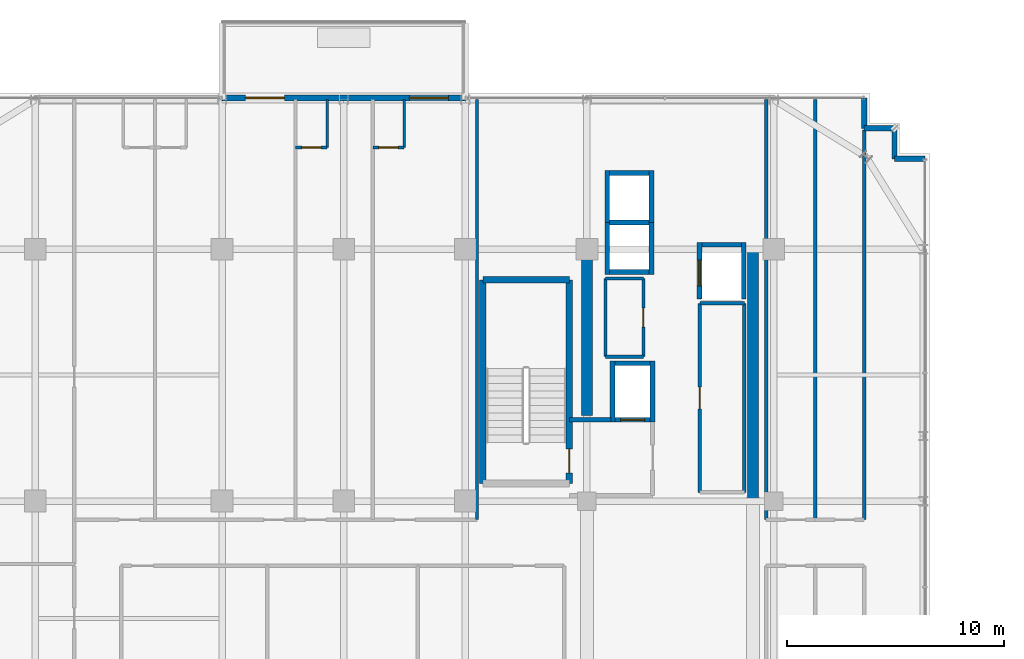
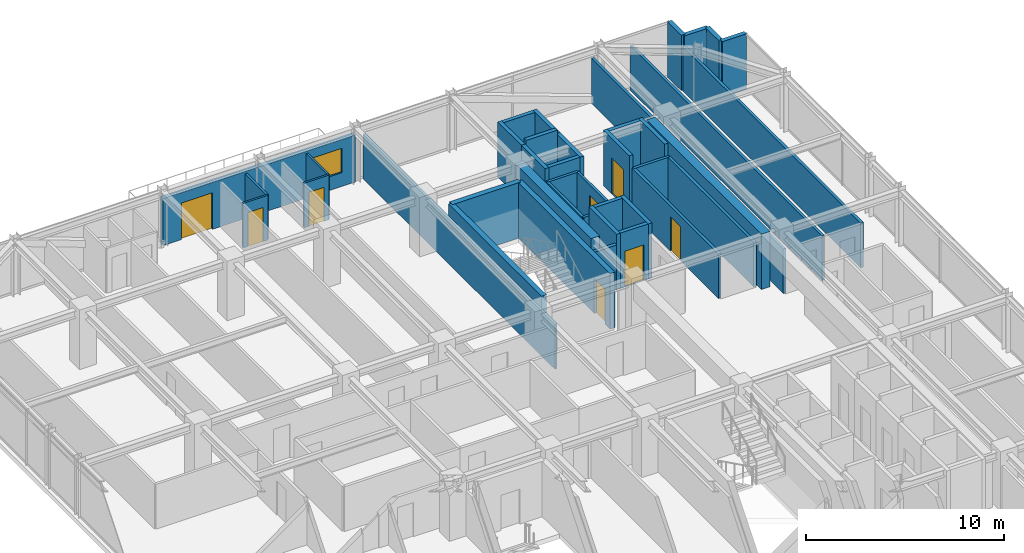
# One storey, part 39 of 43: 40 walls, 8 doors, 1 window, 9 openings.
"""IFC4 building model written with IfcOpenShell, lengths in metres."""

from ifc_helpers import new_model, si_unit, direction, frame, frame_2d, origin, place, context, subcontext, project, spatial, rectangle, extrude, source, transform, mapped, material, layer, layer_set, type_object, element, fill, save


model = new_model("IFC4")

# Units and contexts
model_context = context("Model", 3, precision=1e-05, world=origin(), true_north=direction((0.0, 1.0)))
body_context = subcontext(model_context, "Body", "Model", "MODEL_VIEW")
ifc_project = project(units=[si_unit("LENGTHUNIT", "METRE"), si_unit("AREAUNIT", "SQUARE_METRE"), si_unit("VOLUMEUNIT", "CUBIC_METRE"), si_unit("PLANEANGLEUNIT", "RADIAN"), si_unit("MASSUNIT", "GRAM", prefix="KILO")], contexts=[model_context])

# Site, building, storey
site_placement = place(None, origin())
site = spatial("IfcSite", under=ifc_project, at=site_placement, CompositionType="ELEMENT")
building_placement = place(site_placement, origin())
building = spatial("IfcBuilding", under=site, at=building_placement, Name="Nahalor Promenade Grand Hotel", CompositionType="ELEMENT")
storey_placement = place(building_placement, frame((0.0, 0.0, 204.89990234375)))
storey = spatial("IfcBuildingStorey", under=building, at=storey_placement, Name="L52", CompositionType="ELEMENT", Elevation=204.89990234375)

# Walls
ifc_material_1 = material(Name="Concrete B-60 (C50/60)", Category="concrete")
ifc_layer_1 = layer(ifc_material_1, 0.5)
ifc_layer_set_1 = layer_set([ifc_layer_1], Name="Concrete B-60 (C50/60)")
wall_type_1 = type_object("IfcWallType", Name="Wall-CoreShear-500", PredefinedType="SHEAR", material=ifc_layer_set_1)
shared_shape_1 = source(origin(), body_context, "Body", "SweptSolid", [
    extrude(rectangle(XDim=7.64990234375, YDim=0.5, at=frame_2d((3.824951171875, 0.0))), origin(), (0.0, 0.0, 1.0), 3.41015625),
])
wall_1_placement = place(storey_placement, frame((8.39990234375, 9.35009765625, 0.0), z_axis=(0.0, 0.0, 1.0), x_axis=(0.0, 1.0, 0.0)))
element("IfcWall", 1, at=wall_1_placement, inside=storey, type_object=wall_type_1, Name="CWALL-L52-NW", PredefinedType="SHEAR", context=body_context, shape_type="MappedRepresentation", body=[
    mapped(shared_shape_1, transform((0.0, 0.0, 0.0), scale=1.0)),
])
shared_shape_2 = source(origin(), body_context, "Body", "SweptSolid", [
    extrude(rectangle(XDim=11.60009765625, YDim=0.5, at=frame_2d((5.800048828125, 0.0))), origin(), (0.0, 0.0, 1.0), 3.41015625),
])
wall_2_placement = place(storey_placement, frame((16.050048828125, 5.39990234375, 0.0), z_axis=(0.0, 0.0, 1.0), x_axis=(0.0, 1.0, 0.0)))
element("IfcWall", 2, at=wall_2_placement, inside=storey, type_object=wall_type_1, Name="CWALL-L52-NE", PredefinedType="SHEAR", context=body_context, shape_type="MappedRepresentation", body=[
    mapped(shared_shape_2, transform((0.0, 0.0, 0.0), scale=1.0)),
])
ifc_material_2 = material(Name="Concrete B-50 (C40/50)", Category="concrete")
ifc_layer_2 = layer(ifc_material_2, 0.300048828125)
ifc_layer_set_2 = layer_set([ifc_layer_2], Name="Concrete B-50 (C40/50)")
wall_type_2 = type_object("IfcWallType", Name="Wall-ShaftShear-300", PredefinedType="SHEAR", material=ifc_layer_set_2)
shared_shape_3 = source(origin(), body_context, "Body", "SweptSolid", [
    extrude(rectangle(XDim=3.97998046875, YDim=0.300048828125, at=frame_2d((1.989990234375, 0.0))), origin(), (0.0, 0.0, 1.0), 3.41015625),
])
wall_3_placement = place(storey_placement, frame((3.610107421875, 15.590087890625, 0.0), z_axis=(0.0, 0.0, 1.0), x_axis=(1.0, 0.0, 0.0)))
element("IfcWall", 3, at=wall_3_placement, inside=storey, type_object=wall_type_2, Name="L52 Exit Stair ST1 Shaft Wall N", PredefinedType="SHEAR", context=body_context, shape_type="MappedRepresentation", body=[
    mapped(shared_shape_3, transform((0.0, 0.0, 0.0), scale=1.0)),
])
shared_shape_4 = source(origin(), body_context, "Body", "SweptSolid", [
    extrude(rectangle(XDim=9.380126953125, YDim=0.300048828125, at=frame_2d((4.68994140625, 0.0))), origin(), (0.0, 0.0, 1.0), 3.41015625),
])
wall_4_placement = place(storey_placement, frame((3.610107421875, 6.2099609375, 0.0), z_axis=(0.0, 0.0, 1.0), x_axis=(0.0, 1.0, 0.0)))
element("IfcWall", 4, at=wall_4_placement, inside=storey, type_object=wall_type_2, Name="L52 Exit Stair ST1 Shaft Wall W", PredefinedType="SHEAR", context=body_context, shape_type="MappedRepresentation", body=[
    mapped(shared_shape_4, transform((0.0, 0.0, 0.0), scale=1.0)),
])

# Wall, opening, door
wall_5_placement = place(storey_placement, frame((7.590087890625, 6.2099609375, 0.0), z_axis=(0.0, 0.0, 1.0), x_axis=(0.0, 1.0, 0.0)))
wall_5 = element("IfcWall", 5, at=wall_5_placement, inside=storey, type_object=wall_type_2, Name="L52 Exit Stair ST1 Shaft Wall E", PredefinedType="SHEAR", context=body_context, shape_type="MappedRepresentation", body=[
    mapped(shared_shape_4, transform((0.0, 0.0, 0.0), scale=1.0)),
])
opening_1_placement = place(wall_5_placement, frame((0.489990234375, 0.0, 0.0)))
opening_1 = element("IfcOpeningElement", 6, at=opening_1_placement, cuts=wall_5, Name="Opening D-ST1", PredefinedType="OPENING", context=body_context, shape_type="SweptSolid", body=[
    extrude(rectangle(XDim=1.10009765625, YDim=2.14990234375, at=frame_2d((0.550048828125, 1.074951171875))), frame((0.0, 0.159912109375, 0.0), z_axis=(0.0, -1.0, 0.0), x_axis=(1.0, 0.0, 0.0)), (0.0, 0.0, 1.0), 0.320068359375),
])
ifc_material_3 = material(Name="Steel S355JR", Category="steel")
door_type_1 = type_object("IfcDoorType", Name="Door-StairFire-1100", OperationType="NOTDEFINED", PredefinedType="DOOR", material=ifc_material_3)
shared_shape_5 = source(origin(), body_context, "Body", "SweptSolid", [
    extrude(rectangle(XDim=1.10009765625, YDim=2.14990234375, at=frame_2d((0.550048828125, 1.074951171875))), frame((0.0, 0.02490234375, 0.0), z_axis=(0.0, -1.0, 0.0), x_axis=(1.0, 0.0, 0.0)), (0.0, 0.0, 1.0), 0.050048828125),
])
door_1_placement = place(opening_1_placement, origin())
door_1 = element("IfcDoor", 7, at=door_1_placement, inside=storey, type_object=door_type_1, Name="DR-STAIR-ST1-L52", OperationType="SINGLE_SWING_LEFT", OverallHeight=2.14990234375, OverallWidth=1.10009765625, PredefinedType="DOOR", context=body_context, shape_type="MappedRepresentation", body=[
    mapped(shared_shape_5, transform((0.0, 0.0, 0.0), scale=1.0)),
])
fill(opening_1, door_1)

# Walls
ifc_layer_3 = layer(ifc_material_2, 0.219970703125)
ifc_layer_set_3 = layer_set([ifc_layer_3], Name="Concrete B-50 (C40/50)")
wall_type_3 = type_object("IfcWallType", Name="Wall-LiftShaft-220", PredefinedType="SHEAR", material=ifc_layer_set_3)
shared_shape_6 = source(origin(), body_context, "Body", "SweptSolid", [
    extrude(rectangle(XDim=1.820068359375, YDim=0.219970703125, at=frame_2d((0.91015625, 0.0))), origin(), (0.0, 0.0, 1.0), 3.41015625),
])
for number, where, z_axis, x_axis, name in (
    (8, (9.43994140625, 15.949951171875, 0.0), (0.0, 0.0, 1.0), (1.0, 0.0, 0.0), "L52 Lift OB1 Hoistway Wall S"),
    (9, (9.43994140625, 20.5, 0.0), (0.0, 0.0, 1.0), (1.0, 0.0, 0.0), "L52 Lift OB2 Hoistway Wall N"),
    (10, (13.68994140625, 17.199951171875, 0.0), (0.0, 0.0, 1.0), (1.0, 0.0, 0.0), "L52 Lift SV1 Hoistway Wall N"),
):
    element("IfcWall", number, at=place(storey_placement, frame(where, z_axis=z_axis, x_axis=x_axis)), inside=storey, type_object=wall_type_3, Name=name, PredefinedType="SHEAR", context=body_context, shape_type="MappedRepresentation", body=[
        mapped(shared_shape_6, transform((0.0, 0.0, 0.0), scale=1.0)),
    ])
shared_shape_7 = source(origin(), body_context, "Body", "SweptSolid", [
    extrude(rectangle(XDim=1.820068359375, YDim=0.219970703125, at=frame_2d((0.91015625, 0.0))), origin(), (0.0, 0.0, 1.0), 3.7001953125),
])
wall_6_placement = place(storey_placement, frame((9.43994140625, 18.22509765625, 0.0), z_axis=(0.0, 0.0, 1.0), x_axis=(1.0, 0.0, 0.0)))
element("IfcWall", 11, at=wall_6_placement, inside=storey, type_object=wall_type_3, Name="L52 Lift OB1 Hoistway Wall N", PredefinedType="SHEAR", context=body_context, shape_type="MappedRepresentation", body=[
    mapped(shared_shape_7, transform((0.0, 0.0, 0.0), scale=1.0)),
])
shared_shape_8 = source(origin(), body_context, "Body", "SweptSolid", [
    extrude(rectangle(XDim=2.385009765625, YDim=0.219970703125, at=frame_2d((1.1923828125, 0.0))), origin(), (0.0, 0.0, 1.0), 3.41015625),
])
for number, where, z_axis, x_axis, name in (
    (12, (9.330078125, 15.840087890625, 0.0), (0.0, 0.0, 1.0), (0.0, 1.0, 0.0), "L52 Lift OB1 Hoistway Wall W"),
    (13, (11.3701171875, 15.840087890625, 0.0), (0.0, 0.0, 1.0), (0.0, 1.0, 0.0), "L52 Lift OB1 Hoistway Wall E"),
    (14, (9.330078125, 18.22509765625, 0.0), (0.0, 0.0, 1.0), (0.0, 1.0, 0.0), "L52 Lift OB2 Hoistway Wall W"),
    (15, (11.3701171875, 18.22509765625, 0.0), (0.0, 0.0, 1.0), (0.0, 1.0, 0.0), "L52 Lift OB2 Hoistway Wall E"),
):
    element("IfcWall", number, at=place(storey_placement, frame(where, z_axis=z_axis, x_axis=x_axis)), inside=storey, type_object=wall_type_3, Name=name, PredefinedType="SHEAR", context=body_context, shape_type="MappedRepresentation", body=[
        mapped(shared_shape_8, transform((0.0, 0.0, 0.0), scale=1.0)),
    ])
shared_shape_9 = source(origin(), body_context, "Body", "SweptSolid", [
    extrude(rectangle(XDim=2.820068359375, YDim=0.219970703125, at=frame_2d((1.41015625, 0.0))), origin(), (0.0, 0.0, 1.0), 3.41015625),
])
for number, where, z_axis, x_axis, name in (
    (16, (9.580078125, 9.0400390625, 0.0), (0.0, 0.0, 1.0), (0.0, 1.0, 0.0), "L52 Lift FL1 Hoistway Wall W"),
    (17, (11.419921875, 9.0400390625, 0.0), (0.0, 0.0, 1.0), (0.0, 1.0, 0.0), "L52 Lift FL1 Hoistway Wall E"),
):
    element("IfcWall", number, at=place(storey_placement, frame(where, z_axis=z_axis, x_axis=x_axis)), inside=storey, type_object=wall_type_3, Name=name, PredefinedType="SHEAR", context=body_context, shape_type="MappedRepresentation", body=[
        mapped(shared_shape_9, transform((0.0, 0.0, 0.0), scale=1.0)),
    ])

# Wall, opening, door
shared_shape_10 = source(origin(), body_context, "Body", "SweptSolid", [
    extrude(rectangle(XDim=1.6201171875, YDim=0.219970703125, at=frame_2d((0.81005859375, 0.0))), origin(), (0.0, 0.0, 1.0), 3.41015625),
])
wall_7_placement = place(storey_placement, frame((9.68994140625, 9.14990234375, 0.0), z_axis=(0.0, 0.0, 1.0), x_axis=(1.0, 0.0, 0.0)))
wall_7 = element("IfcWall", 18, at=wall_7_placement, inside=storey, type_object=wall_type_3, Name="L52 Lift FL1 Hoistway Wall S", PredefinedType="SHEAR", context=body_context, shape_type="MappedRepresentation", body=[
    mapped(shared_shape_10, transform((0.0, 0.0, 0.0), scale=1.0)),
])
opening_2_placement = place(wall_7_placement, frame((0.260009765625, 0.0, 0.0)))
opening_2 = element("IfcOpeningElement", 19, at=opening_2_placement, cuts=wall_7, Name="Opening LD-02", PredefinedType="OPENING", context=body_context, shape_type="SweptSolid", body=[
    extrude(rectangle(XDim=1.10009765625, YDim=2.199951171875, at=frame_2d((0.550048828125, 1.10009765625))), frame((0.0, 0.119873046875, 0.0), z_axis=(0.0, -1.0, 0.0), x_axis=(1.0, 0.0, 0.0)), (0.0, 0.0, 1.0), 0.239990234375),
])
door_type_2 = type_object("IfcDoorType", Name="Door-LiftFF-1100", OperationType="DOUBLE_DOOR_SLIDING", PredefinedType="DOOR", material=ifc_material_3)
shared_shape_11 = source(origin(), body_context, "Body", "SweptSolid", [
    extrude(rectangle(XDim=1.10009765625, YDim=2.199951171875, at=frame_2d((0.550048828125, 1.10009765625))), frame((0.0, 0.02490234375, 0.0), z_axis=(0.0, -1.0, 0.0), x_axis=(1.0, 0.0, 0.0)), (0.0, 0.0, 1.0), 0.050048828125),
])
door_2_placement = place(opening_2_placement, frame((1.10009765625, 0.0, 0.0), z_axis=(0.0, 0.0, 1.0), x_axis=(-1.0, 0.0, 0.0)))
door_2 = element("IfcDoor", 20, at=door_2_placement, inside=storey, type_object=door_type_2, Name="DR-LIFT-FL1-L52", OperationType="DOUBLE_DOOR_SLIDING", OverallHeight=2.199951171875, OverallWidth=1.10009765625, PredefinedType="DOOR", context=body_context, shape_type="MappedRepresentation", body=[
    mapped(shared_shape_11, transform((0.0, 0.0, 0.0), scale=1.0)),
])
fill(opening_2, door_2)

# Wall
wall_8_placement = place(storey_placement, frame((9.68994140625, 11.75, 0.0), z_axis=(0.0, 0.0, 1.0), x_axis=(1.0, 0.0, 0.0)))
element("IfcWall", 21, at=wall_8_placement, inside=storey, type_object=wall_type_3, Name="L52 Lift FL1 Hoistway Wall N", PredefinedType="SHEAR", context=body_context, shape_type="MappedRepresentation", body=[
    mapped(shared_shape_10, transform((0.0, 0.0, 0.0), scale=1.0)),
])

# Wall, opening, door
shared_shape_12 = source(origin(), body_context, "Body", "SweptSolid", [
    extrude(rectangle(XDim=2.610107421875, YDim=0.219970703125, at=frame_2d((1.30517578125, 0.0))), origin(), (0.0, 0.0, 1.0), 3.41015625),
])
wall_9_placement = place(storey_placement, frame((13.580078125, 14.699951171875, 0.0), z_axis=(0.0, 0.0, 1.0), x_axis=(0.0, 1.0, 0.0)))
wall_9 = element("IfcWall", 22, at=wall_9_placement, inside=storey, type_object=wall_type_3, Name="L52 Lift SV1 Hoistway Wall W", PredefinedType="SHEAR", context=body_context, shape_type="MappedRepresentation", body=[
    mapped(shared_shape_12, transform((0.0, 0.0, 0.0), scale=1.0)),
])
opening_3_placement = place(wall_9_placement, frame((0.60009765625, 0.0, 0.0)))
opening_3 = element("IfcOpeningElement", 23, at=opening_3_placement, cuts=wall_9, Name="Opening LD-03", PredefinedType="OPENING", context=body_context, shape_type="SweptSolid", body=[
    extrude(rectangle(XDim=1.199951171875, YDim=2.199951171875, at=frame_2d((0.60009765625, 1.10009765625))), frame((0.0, 0.119873046875, 0.0), z_axis=(0.0, -1.0, 0.0), x_axis=(1.0, 0.0, 0.0)), (0.0, 0.0, 1.0), 0.239990234375),
])
door_type_3 = type_object("IfcDoorType", Name="Door-LiftService-1200", OperationType="DOUBLE_DOOR_SLIDING", PredefinedType="DOOR", material=ifc_material_3)
shared_shape_13 = source(origin(), body_context, "Body", "SweptSolid", [
    extrude(rectangle(XDim=1.199951171875, YDim=2.199951171875, at=frame_2d((0.60009765625, 1.10009765625))), frame((0.0, 0.02490234375, 0.0), z_axis=(0.0, -1.0, 0.0), x_axis=(1.0, 0.0, 0.0)), (0.0, 0.0, 1.0), 0.050048828125),
])
door_3_placement = place(opening_3_placement, origin())
door_3 = element("IfcDoor", 24, at=door_3_placement, inside=storey, type_object=door_type_3, Name="DR-LIFT-SV1-L52", OperationType="DOUBLE_DOOR_SLIDING", OverallHeight=2.199951171875, OverallWidth=1.199951171875, PredefinedType="DOOR", context=body_context, shape_type="MappedRepresentation", body=[
    mapped(shared_shape_13, transform((0.0, 0.0, 0.0), scale=1.0)),
])
fill(opening_3, door_3)

# Walls
wall_10_placement = place(storey_placement, frame((15.6201171875, 14.699951171875, 0.0), z_axis=(0.0, 0.0, 1.0), x_axis=(0.0, 1.0, 0.0)))
element("IfcWall", 25, at=wall_10_placement, inside=storey, type_object=wall_type_3, Name="L52 Lift SV1 Hoistway Wall E", PredefinedType="SHEAR", context=body_context, shape_type="MappedRepresentation", body=[
    mapped(shared_shape_12, transform((0.0, 0.0, 0.0), scale=1.0)),
])
ifc_material_4 = material(Name="Concrete B-40 (C32/40)", Category="concrete")
ifc_layer_4 = layer(ifc_material_4, 0.25)
ifc_layer_set_4 = layer_set([ifc_layer_4], Name="Concrete B-40 (C32/40)")
wall_type_4 = type_object("IfcWallType", Name="Wall-BronzePier-250", PredefinedType="STANDARD", material=ifc_layer_set_4)
shared_shape_14 = source(origin(), body_context, "Body", "SweptSolid", [
    extrude(rectangle(XDim=1.39990234375, YDim=0.25, at=frame_2d((0.699951171875, 0.0))), origin(), (0.0, 0.0, 1.0), 3.41015625),
])
for number, where, z_axis, x_axis, name in (
    (26, (22.56005859375, 21.159912109375, 0.0), (0.0, 0.0, 1.0), (1.0, 0.0, 0.0), "W-L52-SR-05"),
    (27, (21.159912109375, 22.56005859375, 0.0), (0.0, 0.0, 1.0), (0.0, 1.0, 0.0), "W-L52-SR-08"),
):
    element("IfcWall", number, at=place(storey_placement, frame(where, z_axis=z_axis, x_axis=x_axis)), inside=storey, type_object=wall_type_4, Name=name, PredefinedType="STANDARD", context=body_context, shape_type="MappedRepresentation", body=[
        mapped(shared_shape_14, transform((0.0, 0.0, 0.0), scale=1.0)),
    ])
shared_shape_15 = source(origin(), body_context, "Body", "SweptSolid", [
    extrude(rectangle(XDim=1.400146484375, YDim=0.25, at=frame_2d((0.7001953125, 0.0))), origin(), (0.0, 0.0, 1.0), 3.41015625),
])
for number, where, z_axis, x_axis, name in (
    (28, (22.56005859375, 21.159912109375, 0.0), (0.0, 0.0, 1.0), (0.0, 1.0, 0.0), "W-L52-SR-06"),
    (29, (21.159912109375, 22.56005859375, 0.0), (0.0, 0.0, 1.0), (1.0, 0.0, 0.0), "W-L52-SR-07"),
):
    element("IfcWall", number, at=place(storey_placement, frame(where, z_axis=z_axis, x_axis=x_axis)), inside=storey, type_object=wall_type_4, Name=name, PredefinedType="STANDARD", context=body_context, shape_type="MappedRepresentation", body=[
        mapped(shared_shape_15, transform((0.0, 0.0, 0.0), scale=1.0)),
    ])

# Wall, openings, door, window
ifc_layer_5 = layer(ifc_material_4, 0.260009765625)
ifc_layer_set_5 = layer_set([ifc_layer_5], Name="Concrete B-40 (C32/40)")
wall_type_5 = type_object("IfcWallType", Name="Wall-BalconyWall-260", PredefinedType="STANDARD", material=ifc_layer_set_5)
shared_shape_16 = source(origin(), body_context, "Body", "SweptSolid", [
    extrude(rectangle(XDim=11.199951171875, YDim=0.260009765625, at=frame_2d((5.60009765625, 0.0))), origin(), (0.0, 0.0, 1.0), 2.89013671875),
])
wall_11_placement = place(storey_placement, frame((-8.39990234375, 23.9599609375, 0.0), z_axis=(0.0, 0.0, 1.0), x_axis=(1.0, 0.0, 0.0)))
wall_11 = element("IfcWall", 30, at=wall_11_placement, inside=storey, type_object=wall_type_5, Name="W-L52-BALC-N-2", PredefinedType="STANDARD", context=body_context, shape_type="MappedRepresentation", body=[
    mapped(shared_shape_16, transform((0.0, 0.0, 0.0), scale=1.0)),
])
opening_4_placement = place(wall_11_placement, frame((1.069091796875, 0.0, 0.0)))
opening_4 = element("IfcOpeningElement", 31, at=opening_4_placement, cuts=wall_11, Name="Opening D-BC1", PredefinedType="OPENING", context=body_context, shape_type="SweptSolid", body=[
    extrude(rectangle(XDim=1.800048828125, YDim=2.25, at=frame_2d((0.89990234375, 1.125))), frame((0.0, 0.139892578125, 0.0), z_axis=(0.0, -1.0, 0.0), x_axis=(1.0, 0.0, 0.0)), (0.0, 0.0, 1.0), 0.280029296875),
])
opening_5_placement = place(wall_11_placement, frame((8.618896484375, 0.0, 0.85009765625)))
opening_5 = element("IfcOpeningElement", 32, at=opening_5_placement, cuts=wall_11, Name="Opening WN-01", PredefinedType="OPENING", context=body_context, shape_type="SweptSolid", body=[
    extrude(rectangle(XDim=1.800048828125, YDim=1.5, at=frame_2d((0.89990234375, 0.75))), frame((0.0, 0.139892578125, 0.0), z_axis=(0.0, -1.0, 0.0), x_axis=(1.0, 0.0, 0.0)), (0.0, 0.0, 1.0), 0.280029296875),
])
ifc_material_5 = material(Name="Anodised Bronze Aluminium EN AW-6063 T6", Category="aluminium")
door_type_4 = type_object("IfcDoorType", Name="Door-BalconySlide-1800", OperationType="DOUBLE_DOOR_SLIDING", PredefinedType="DOOR", material=ifc_material_5)
shared_shape_17 = source(origin(), body_context, "Body", "SweptSolid", [
    extrude(rectangle(XDim=1.800048828125, YDim=2.25, at=frame_2d((0.89990234375, 1.125))), frame((0.0, 0.02490234375, 0.0), z_axis=(0.0, -1.0, 0.0), x_axis=(1.0, 0.0, 0.0)), (0.0, 0.0, 1.0), 0.050048828125),
])
door_4_placement = place(opening_4_placement, origin())
door_4 = element("IfcDoor", 33, at=door_4_placement, inside=storey, type_object=door_type_4, Name="DR-L52-BALC-N-2", OperationType="DOUBLE_DOOR_SLIDING", OverallHeight=2.25, OverallWidth=1.800048828125, PredefinedType="DOOR", context=body_context, shape_type="MappedRepresentation", body=[
    mapped(shared_shape_17, transform((0.0, 0.0, 0.0), scale=1.0)),
])
fill(opening_4, door_4)
ifc_material_6 = material(Name="Low-E Laminated Solar Glass", Category="glass")
window_type = type_object("IfcWindowType", Name="Win-ChicagoBay-1800x1500", PartitioningType="SINGLE_PANEL", PredefinedType="WINDOW", material=ifc_material_6)
shared_shape_18 = source(origin(), body_context, "Body", "SweptSolid", [
    extrude(rectangle(XDim=1.800048828125, YDim=1.5, at=frame_2d((0.89990234375, 0.75))), frame((0.0, 0.030029296875, 0.0), z_axis=(0.0, -1.0, 0.0), x_axis=(1.0, 0.0, 0.0)), (0.0, 0.0, 1.0), 0.06005859375),
])
window_placement = place(opening_5_placement, origin())
window = element("IfcWindow", 34, at=window_placement, inside=storey, type_object=window_type, Name="WN-L52-BALC-N-2-1", OverallHeight=1.5, OverallWidth=1.800048828125, PartitioningType="SINGLE_PANEL", PredefinedType="WINDOW", context=body_context, shape_type="MappedRepresentation", body=[
    mapped(shared_shape_18, transform((0.0, 0.0, 0.0), scale=1.0)),
])
fill(opening_5, window)

# Walls
ifc_layer_6 = layer(ifc_material_4, 0.199951171875)
ifc_layer_set_6 = layer_set([ifc_layer_6], Name="Concrete B-40 (C32/40)")
wall_type_6 = type_object("IfcWallType", Name="Wall-PartFire-200", PredefinedType="PARTITIONING", material=ifc_layer_set_6)
shared_shape_19 = source(origin(), body_context, "Body", "SweptSolid", [
    extrude(rectangle(XDim=1.89990234375, YDim=0.199951171875, at=frame_2d((0.949951171875, 0.0))), origin(), (0.0, 0.0, 1.0), 2.75),
])
wall_12_placement = place(storey_placement, frame((7.60009765625, 9.14990234375, 0.0), z_axis=(0.0, 0.0, 1.0), x_axis=(1.0, 0.0, 0.0)))
element("IfcWall", 35, at=wall_12_placement, inside=storey, type_object=wall_type_6, Name="W-L52-FF1-N", PredefinedType="PARTITIONING", context=body_context, shape_type="MappedRepresentation", body=[
    mapped(shared_shape_19, transform((0.0, 0.0, 0.0), scale=1.0)),
])
ifc_material_7 = material(Name="Acoustic Mineral Gypsum", Category="gypsum")
ifc_layer_7 = layer(ifc_material_7, 0.14990234375)
ifc_layer_set_7 = layer_set([ifc_layer_7], Name="Acoustic Mineral Gypsum")
wall_type_7 = type_object("IfcWallType", Name="Wall-PartService-150", PredefinedType="PARTITIONING", material=ifc_layer_set_7)
shared_shape_20 = source(origin(), body_context, "Body", "SweptSolid", [
    extrude(rectangle(XDim=1.75, YDim=0.14990234375, at=frame_2d((0.875, 0.0))), origin(), (0.0, 0.0, 1.0), 2.75),
])
for number, where, z_axis, x_axis, name in (
    (36, (9.25, 12.050048828125, 0.0), (0.0, 0.0, 1.0), (1.0, 0.0, 0.0), "W-L52-CK1A-S"),
    (37, (9.25, 15.64990234375, 0.0), (0.0, 0.0, 1.0), (1.0, 0.0, 0.0), "W-L52-CK1A-N"),
):
    element("IfcWall", number, at=place(storey_placement, frame(where, z_axis=z_axis, x_axis=x_axis)), inside=storey, type_object=wall_type_7, Name=name, PredefinedType="PARTITIONING", context=body_context, shape_type="MappedRepresentation", body=[
        mapped(shared_shape_20, transform((0.0, 0.0, 0.0), scale=1.0)),
    ])
shared_shape_21 = source(origin(), body_context, "Body", "SweptSolid", [
    extrude(rectangle(XDim=3.599853515625, YDim=0.14990234375, at=frame_2d((1.7998046875, 0.0))), origin(), (0.0, 0.0, 1.0), 2.75),
])
wall_13_placement = place(storey_placement, frame((9.25, 12.050048828125, 0.0), z_axis=(0.0, 0.0, 1.0), x_axis=(0.0, 1.0, 0.0)))
element("IfcWall", 38, at=wall_13_placement, inside=storey, type_object=wall_type_7, Name="W-L52-CK1A-W", PredefinedType="PARTITIONING", context=body_context, shape_type="MappedRepresentation", body=[
    mapped(shared_shape_21, transform((0.0, 0.0, 0.0), scale=1.0)),
])

# Wall, opening, door
wall_14_placement = place(storey_placement, frame((11.0, 12.050048828125, 0.0), z_axis=(0.0, 0.0, 1.0), x_axis=(0.0, 1.0, 0.0)))
wall_14 = element("IfcWall", 39, at=wall_14_placement, inside=storey, type_object=wall_type_7, Name="W-L52-CK1A-E", PredefinedType="PARTITIONING", context=body_context, shape_type="MappedRepresentation", body=[
    mapped(shared_shape_21, transform((0.0, 0.0, 0.0), scale=1.0)),
])
opening_6_placement = place(wall_14_placement, frame((1.360107421875, 0.0, 0.0)))
opening_6 = element("IfcOpeningElement", 40, at=opening_6_placement, cuts=wall_14, Name="Opening D-03", PredefinedType="OPENING", context=body_context, shape_type="SweptSolid", body=[
    extrude(rectangle(XDim=0.8798828125, YDim=2.10009765625, at=frame_2d((0.43994140625, 1.050048828125))), frame((0.0, 0.0849609375, 0.0), z_axis=(0.0, -1.0, 0.0), x_axis=(1.0, 0.0, 0.0)), (0.0, 0.0, 1.0), 0.169921875),
])
ifc_material_8 = material(Name="Fire-Rated Timber Composite", Category="wood")
door_type_5 = type_object("IfcDoorType", Name="Door-BathSwing-880", OperationType="NOTDEFINED", PredefinedType="DOOR", material=ifc_material_8)
shared_shape_22 = source(origin(), body_context, "Body", "SweptSolid", [
    extrude(rectangle(XDim=0.8798828125, YDim=2.10009765625, at=frame_2d((0.43994140625, 1.050048828125))), frame((0.0, 0.02490234375, 0.0), z_axis=(0.0, -1.0, 0.0), x_axis=(1.0, 0.0, 0.0)), (0.0, 0.0, 1.0), 0.050048828125),
])
door_5_placement = place(opening_6_placement, origin())
door_5 = element("IfcDoor", 41, at=door_5_placement, inside=storey, type_object=door_type_5, Name="DR-L52-CK1A", OperationType="SINGLE_SWING_RIGHT", OverallHeight=2.10009765625, OverallWidth=0.8798828125, PredefinedType="DOOR", context=body_context, shape_type="MappedRepresentation", body=[
    mapped(shared_shape_22, transform((0.0, 0.0, 0.0), scale=1.0)),
])
fill(opening_6, door_5)

# Wall
ifc_layer_8 = layer(ifc_material_7, 0.159912109375)
ifc_layer_set_8 = layer_set([ifc_layer_8], Name="Acoustic Mineral Gypsum")
wall_type_8 = type_object("IfcWallType", Name="Wall-PartCorridor-160", PredefinedType="PARTITIONING", material=ifc_layer_set_8)
shared_shape_23 = source(origin(), body_context, "Body", "SweptSolid", [
    extrude(rectangle(XDim=2.0498046875, YDim=0.159912109375, at=frame_2d((1.02490234375, 0.0))), origin(), (0.0, 0.0, 1.0), 2.75),
])
wall_15_placement = place(storey_placement, frame((13.60009765625, 14.5, 0.0), z_axis=(0.0, 0.0, 1.0), x_axis=(1.0, 0.0, 0.0)))
element("IfcWall", 42, at=wall_15_placement, inside=storey, type_object=wall_type_8, Name="W-L52-FRB1-N", PredefinedType="PARTITIONING", context=body_context, shape_type="MappedRepresentation", body=[
    mapped(shared_shape_23, transform((0.0, 0.0, 0.0), scale=1.0)),
])

# Wall, opening, door
shared_shape_24 = source(origin(), body_context, "Body", "SweptSolid", [
    extrude(rectangle(XDim=8.699951171875, YDim=0.159912109375, at=frame_2d((4.35009765625, 0.0))), origin(), (0.0, 0.0, 1.0), 2.75),
])
wall_16_placement = place(storey_placement, frame((13.60009765625, 5.800048828125, 0.0), z_axis=(0.0, 0.0, 1.0), x_axis=(0.0, 1.0, 0.0)))
wall_16 = element("IfcWall", 43, at=wall_16_placement, inside=storey, type_object=wall_type_8, Name="W-L52-FRB1-W", PredefinedType="PARTITIONING", context=body_context, shape_type="MappedRepresentation", body=[
    mapped(shared_shape_24, transform((0.0, 0.0, 0.0), scale=1.0)),
])
opening_7_placement = place(wall_16_placement, frame((3.85009765625, 0.0, 0.0)))
opening_7 = element("IfcOpeningElement", 44, at=opening_7_placement, cuts=wall_16, Name="Opening D-04", PredefinedType="OPENING", context=body_context, shape_type="SweptSolid", body=[
    extrude(rectangle(XDim=1.0, YDim=2.10009765625, at=frame_2d((0.5, 1.050048828125))), frame((0.0, 0.08984375, 0.0), z_axis=(0.0, -1.0, 0.0), x_axis=(1.0, 0.0, 0.0)), (0.0, 0.0, 1.0), 0.179931640625),
])
door_type_6 = type_object("IfcDoorType", Name="Door-ServiceFire-1000", OperationType="NOTDEFINED", PredefinedType="DOOR", material=ifc_material_3)
shared_shape_25 = source(origin(), body_context, "Body", "SweptSolid", [
    extrude(rectangle(XDim=1.0, YDim=2.10009765625, at=frame_2d((0.5, 1.050048828125))), frame((0.0, 0.02490234375, 0.0), z_axis=(0.0, -1.0, 0.0), x_axis=(1.0, 0.0, 0.0)), (0.0, 0.0, 1.0), 0.050048828125),
])
door_6_placement = place(opening_7_placement, frame((1.0, 0.0, 0.0), z_axis=(0.0, 0.0, 1.0), x_axis=(-1.0, 0.0, 0.0)))
door_6 = element("IfcDoor", 45, at=door_6_placement, inside=storey, type_object=door_type_6, Name="DR-L52-FRB1", OperationType="SINGLE_SWING_LEFT", OverallHeight=2.10009765625, OverallWidth=1.0, PredefinedType="DOOR", context=body_context, shape_type="MappedRepresentation", body=[
    mapped(shared_shape_25, transform((0.0, 0.0, 0.0), scale=1.0)),
])
fill(opening_7, door_6)

# Walls
wall_17_placement = place(storey_placement, frame((15.64990234375, 5.800048828125, 0.0), z_axis=(0.0, 0.0, 1.0), x_axis=(0.0, 1.0, 0.0)))
element("IfcWall", 46, at=wall_17_placement, inside=storey, type_object=wall_type_8, Name="W-L52-FRB1-E", PredefinedType="PARTITIONING", context=body_context, shape_type="MappedRepresentation", body=[
    mapped(shared_shape_24, transform((0.0, 0.0, 0.0), scale=1.0)),
])
shared_shape_26 = source(origin(), body_context, "Body", "SweptSolid", [
    extrude(rectangle(XDim=19.349853515625, YDim=0.159912109375, at=frame_2d((9.6748046875, 0.0))), origin(), (0.0, 0.0, 1.0), 2.75),
])
for number, where, z_axis, x_axis, name in (
    (47, (16.64990234375, 4.550048828125, 0.0), (0.0, 0.0, 1.0), (0.0, 1.0, 0.0), "W-L52-ENE1-W"),
    (48, (18.905029296875, 4.550048828125, 0.0), (0.0, 0.0, 1.0), (0.0, 1.0, 0.0), "W-L52-ENE1-E"),
):
    element("IfcWall", number, at=place(storey_placement, frame(where, z_axis=z_axis, x_axis=x_axis)), inside=storey, type_object=wall_type_8, Name=name, PredefinedType="PARTITIONING", context=body_context, shape_type="MappedRepresentation", body=[
        mapped(shared_shape_26, transform((0.0, 0.0, 0.0), scale=1.0)),
    ])
shared_shape_27 = source(origin(), body_context, "Body", "SweptSolid", [
    extrude(rectangle(XDim=17.929931640625, YDim=0.159912109375, at=frame_2d((8.96484375, 0.0))), origin(), (0.0, 0.0, 1.0), 2.75),
])
wall_18_placement = place(storey_placement, frame((21.159912109375, 4.550048828125, 0.0), z_axis=(0.0, 0.0, 1.0), x_axis=(0.0, 1.0, 0.0)))
element("IfcWall", 49, at=wall_18_placement, inside=storey, type_object=wall_type_8, Name="W-L52-ENE2-E", PredefinedType="PARTITIONING", context=body_context, shape_type="MappedRepresentation", body=[
    mapped(shared_shape_27, transform((0.0, 0.0, 0.0), scale=1.0)),
])

# Wall, opening, door
ifc_layer_9 = layer(ifc_material_7, 0.1201171875)
ifc_layer_set_9 = layer_set([ifc_layer_9], Name="Acoustic Mineral Gypsum")
wall_type_9 = type_object("IfcWallType", Name="Wall-PartBath-120", PredefinedType="PARTITIONING", material=ifc_layer_set_9)
shared_shape_28 = source(origin(), body_context, "Body", "SweptSolid", [
    extrude(rectangle(XDim=1.449951171875, YDim=0.1201171875, at=frame_2d((0.72509765625, 0.0))), origin(), (0.0, 0.0, 1.0), 2.75),
])
wall_19_placement = place(storey_placement, frame((-5.012939453125, 21.679931640625, 0.0), z_axis=(0.0, 0.0, 1.0), x_axis=(1.0, 0.0, 0.0)))
wall_19 = element("IfcWall", 50, at=wall_19_placement, inside=storey, type_object=wall_type_9, Name="W-L52-N3-BH", PredefinedType="PARTITIONING", context=body_context, shape_type="MappedRepresentation", body=[
    mapped(shared_shape_28, transform((0.0, 0.0, 0.0), scale=1.0)),
])
opening_8_placement = place(wall_19_placement, frame((0.284912109375, 0.0, 0.0)))
opening_8 = element("IfcOpeningElement", 51, at=opening_8_placement, cuts=wall_19, Name="Opening D-03", PredefinedType="OPENING", context=body_context, shape_type="SweptSolid", body=[
    extrude(rectangle(XDim=0.8798828125, YDim=2.10009765625, at=frame_2d((0.43994140625, 1.050048828125))), frame((0.0, 0.070068359375, 0.0), z_axis=(0.0, -1.0, 0.0), x_axis=(1.0, 0.0, 0.0)), (0.0, 0.0, 1.0), 0.14013671875),
])
door_7_placement = place(opening_8_placement, origin())
door_7 = element("IfcDoor", 52, at=door_7_placement, inside=storey, type_object=door_type_5, Name="DR-L52-N3-BATH", OperationType="SINGLE_SWING_RIGHT", OverallHeight=2.10009765625, OverallWidth=0.8798828125, PredefinedType="DOOR", context=body_context, shape_type="MappedRepresentation", body=[
    mapped(shared_shape_22, transform((0.0, 0.0, 0.0), scale=1.0)),
])
fill(opening_8, door_7)

wall_20_placement = place(storey_placement, frame((-1.462890625, 21.679931640625, 0.0), z_axis=(0.0, 0.0, 1.0), x_axis=(1.0, 0.0, 0.0)))
wall_20 = element("IfcWall", 53, at=wall_20_placement, inside=storey, type_object=wall_type_9, Name="W-L52-N4-BH", PredefinedType="PARTITIONING", context=body_context, shape_type="MappedRepresentation", body=[
    mapped(shared_shape_28, transform((0.0, 0.0, 0.0), scale=1.0)),
])
opening_9_placement = place(wall_20_placement, frame((0.284912109375, 0.0, 0.0)))
opening_9 = element("IfcOpeningElement", 54, at=opening_9_placement, cuts=wall_20, Name="Opening D-03", PredefinedType="OPENING", context=body_context, shape_type="SweptSolid", body=[
    extrude(rectangle(XDim=0.8798828125, YDim=2.10009765625, at=frame_2d((0.43994140625, 1.050048828125))), frame((0.0, 0.070068359375, 0.0), z_axis=(0.0, -1.0, 0.0), x_axis=(1.0, 0.0, 0.0)), (0.0, 0.0, 1.0), 0.14013671875),
])
door_8_placement = place(opening_9_placement, origin())
door_8 = element("IfcDoor", 55, at=door_8_placement, inside=storey, type_object=door_type_5, Name="DR-L52-N4-BATH", OperationType="SINGLE_SWING_RIGHT", OverallHeight=2.10009765625, OverallWidth=0.8798828125, PredefinedType="DOOR", context=body_context, shape_type="MappedRepresentation", body=[
    mapped(shared_shape_22, transform((0.0, 0.0, 0.0), scale=1.0)),
])
fill(opening_9, door_8)

# Walls
shared_shape_29 = source(origin(), body_context, "Body", "SweptSolid", [
    extrude(rectangle(XDim=2.219970703125, YDim=0.1201171875, at=frame_2d((1.10986328125, 0.0))), origin(), (0.0, 0.0, 1.0), 2.75),
])
for number, where, z_axis, x_axis, name in (
    (56, (-3.56298828125, 21.679931640625, 0.0), (0.0, 0.0, 1.0), (0.0, 1.0, 0.0), "W-L52-N3-BV"),
    (57, (-0.012939453125, 21.679931640625, 0.0), (0.0, 0.0, 1.0), (0.0, 1.0, 0.0), "W-L52-N4-BV"),
):
    element("IfcWall", number, at=place(storey_placement, frame(where, z_axis=z_axis, x_axis=x_axis)), inside=storey, type_object=wall_type_9, Name=name, PredefinedType="PARTITIONING", context=body_context, shape_type="MappedRepresentation", body=[
        mapped(shared_shape_29, transform((0.0, 0.0, 0.0), scale=1.0)),
    ])
ifc_layer_10 = layer(ifc_material_7, 0.139892578125)
ifc_layer_set_10 = layer_set([ifc_layer_10], Name="Acoustic Mineral Gypsum")
wall_type_10 = type_object("IfcWallType", Name="Wall-PartSuite-140", PredefinedType="PARTITIONING", material=ifc_layer_set_10)
shared_shape_30 = source(origin(), body_context, "Body", "SweptSolid", [
    extrude(rectangle(XDim=19.349853515625, YDim=0.139892578125, at=frame_2d((9.6748046875, 0.0))), origin(), (0.0, 0.0, 1.0), 2.75),
])
wall_21_placement = place(storey_placement, frame((3.340087890625, 4.550048828125, 0.0), z_axis=(0.0, 0.0, 1.0), x_axis=(0.0, 1.0, 0.0)))
element("IfcWall", 58, at=wall_21_placement, inside=storey, type_object=wall_type_10, Name="W-L52-NW-ENDE", PredefinedType="PARTITIONING", context=body_context, shape_type="MappedRepresentation", body=[
    mapped(shared_shape_30, transform((0.0, 0.0, 0.0), scale=1.0)),
])

save(model, "model.ifc")
